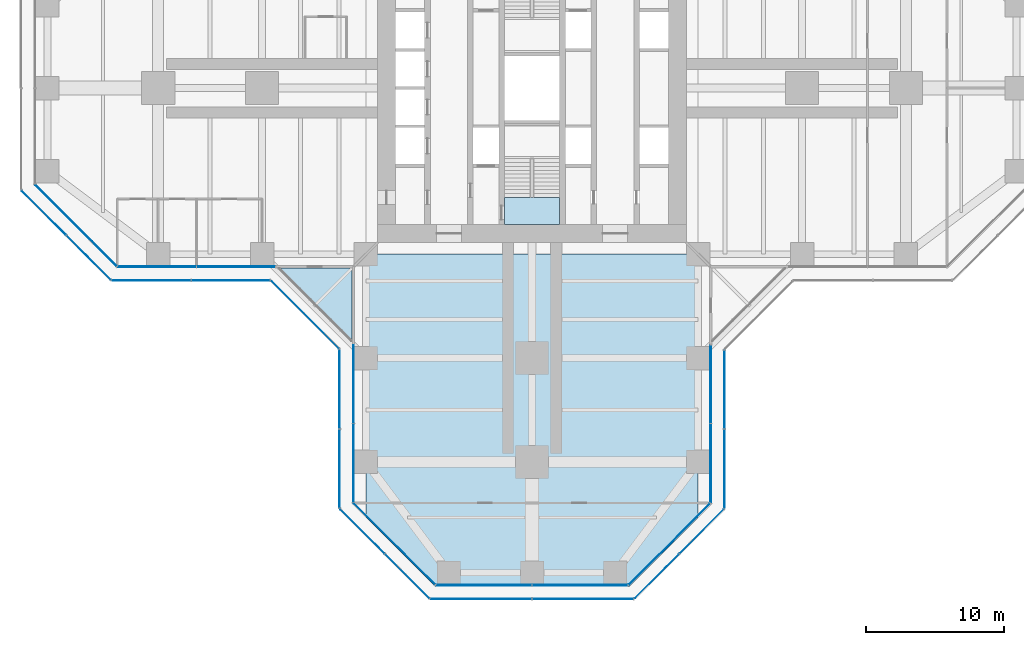
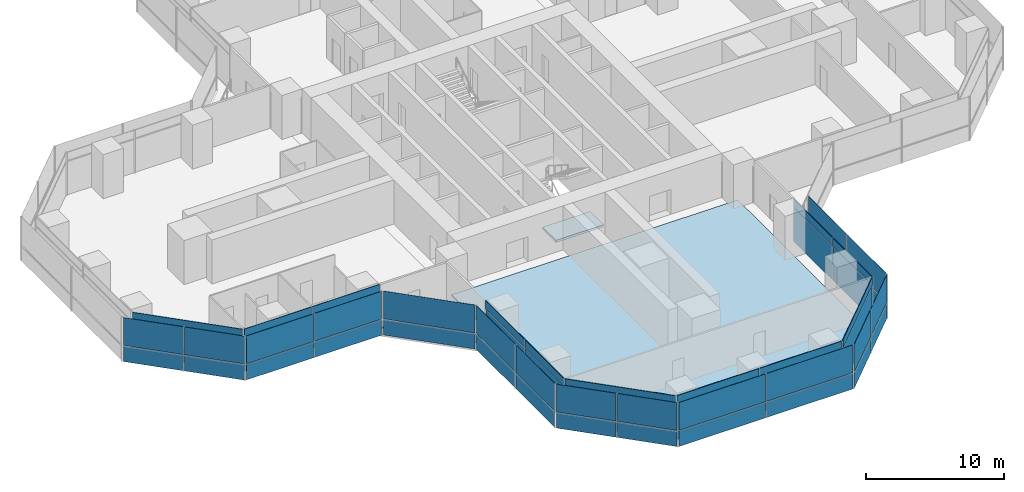
# One storey, part 14 of 22: 52 plates, 3 slabs, 16 elements without a shape of their own.
"""IFC4 building model written with IfcOpenShell, lengths in metres."""

from ifc_helpers import new_model, si_unit, direction, frame, origin, origin_2d, place, context, subcontext, project, spatial, polyline, rectangle, outline, extrude, material, layer, layer_set, type_object, element, aggregate, save


model = new_model("IFC4")

# Units and contexts
model_context = context("Model", 3, precision=1e-05, world=origin(), true_north=direction((0.0, 1.0)))
body_context = subcontext(model_context, "Body", "Model", "MODEL_VIEW")
ifc_project = project(units=[si_unit("LENGTHUNIT", "METRE"), si_unit("AREAUNIT", "SQUARE_METRE"), si_unit("VOLUMEUNIT", "CUBIC_METRE"), si_unit("PLANEANGLEUNIT", "RADIAN"), si_unit("MASSUNIT", "GRAM", prefix="KILO")], contexts=[model_context])

# Site, building, storey
site_placement = place(None, origin())
site = spatial("IfcSite", under=ifc_project, at=site_placement, CompositionType="ELEMENT")
building_placement = place(site_placement, origin())
building = spatial("IfcBuilding", under=site, at=building_placement, Name="Mizan Broadcast Tower", CompositionType="ELEMENT")
storey_placement = place(building_placement, frame((0.0, 0.0, 70.800048828125)))
storey = spatial("IfcBuildingStorey", under=building, at=storey_placement, Name="L14", CompositionType="ELEMENT", Elevation=70.800048828125)

# Slab
ifc_material_1 = material(Name="Concrete C32/40", Category="concrete")
ifc_layer_1 = layer(ifc_material_1, 0.1298828125)
ifc_layer_set_1 = layer_set([ifc_layer_1], Name="Concrete C32/40")
slab_type_1 = type_object("IfcSlabType", Name="COMPOSITE DECK SLAB 130", PredefinedType="FLOOR", material=ifc_layer_set_1)
slab_1_placement = place(storey_placement, frame((0.0, 0.0, -0.130126953125)))
element("IfcSlab", 1, at=slab_1_placement, inside=storey, type_object=slab_type_1, Name="Floor slab L14 south arm", PredefinedType="FLOOR", context=body_context, shape_type="SweptSolid", body=[
    extrude(outline(polyline([(7.0, -36.0), (12.0, -31.0), (12.0, -12.0), (-12.0, -12.0), (-12.0, -31.0), (-7.0, -36.0), (7.0, -36.0)])), origin(), (0.0, 0.0, 1.0), 0.130126953125),
])

# Curtain wall, plate
ifc_material_2 = material(Name="Aluminium framed glazing", Category="aluminium")
curtain_wall_type_1 = type_object("IfcCurtainWallType", Name="INNER SKIN LOW ZONE", PredefinedType="USERDEFINED", material=ifc_material_2)
curtain_wall_1_placement = place(storey_placement, origin())
curtain_wall_1 = element("IfcCurtainWall", 2, at=curtain_wall_1_placement, inside=storey, type_object=curtain_wall_type_1, Name="Inner skin low zone L14 W chamfer", ObjectType="INNER SKIN LOW ZONE", PredefinedType="USERDEFINED")
ifc_material_3 = material(Name="Double glazing, clear low-e", Category="glass")
ifc_layer_2 = layer(ifc_material_3, 0.028076171875)
ifc_layer_set_2 = layer_set([ifc_layer_2], Name="Double glazing, clear low-e")
plate_type_1 = type_object("IfcPlateType", Name="INNER SKIN GLAZING UNIT", PredefinedType="CURTAIN_PANEL", material=ifc_layer_set_2)
plate_1_placement = place(storey_placement, frame((-32.92919921875, -9.92919921875, 0.0), z_axis=(0.0, 0.0, 1.0), x_axis=(0.707106781187, -0.707106781187, 0.0)))
plate_1 = element("IfcPlate", 3, at=plate_1_placement, type_object=plate_type_1, Name="Inner skin low zone L14 W chamfer panel 1.1", PredefinedType="CURTAIN_PANEL", context=body_context, shape_type="SweptSolid", body=[
    extrude(rectangle(XDim=8.282470703125, YDim=0.028076171875, at=origin_2d()), origin(), (0.0, 0.0, 1.0), 3.0),
])

# Curtain wall, plates
curtain_wall_2_placement = place(storey_placement, origin())
curtain_wall_2 = element("IfcCurtainWall", 4, at=curtain_wall_2_placement, inside=storey, type_object=curtain_wall_type_1, Name="Inner skin low zone L14 W side", ObjectType="INNER SKIN LOW ZONE", PredefinedType="USERDEFINED")
plate_2_placement = place(storey_placement, frame((-27.078857421875, -12.89990234375, 0.0), z_axis=(0.0, 0.0, 1.0), x_axis=(1.0, 0.0, 0.0)))
plate_2 = element("IfcPlate", 5, at=plate_2_placement, type_object=plate_type_1, Name="Inner skin low zone L14 W side panel 1.1", PredefinedType="CURTAIN_PANEL", context=body_context, shape_type="SweptSolid", body=[
    extrude(rectangle(XDim=5.639404296875, YDim=0.028076171875, at=origin_2d()), origin(), (0.0, 0.0, 1.0), 3.0),
])
plate_3_placement = place(storey_placement, frame((-21.379638671875, -12.89990234375, 0.0), z_axis=(0.0, 0.0, 1.0), x_axis=(1.0, 0.0, 0.0)))
plate_3 = element("IfcPlate", 6, at=plate_3_placement, type_object=plate_type_1, Name="Inner skin low zone L14 W side panel 2.1", PredefinedType="CURTAIN_PANEL", context=body_context, shape_type="SweptSolid", body=[
    extrude(rectangle(XDim=5.639404296875, YDim=0.028076171875, at=origin_2d()), origin(), (0.0, 0.0, 1.0), 3.0),
])

curtain_wall_3_placement = place(storey_placement, origin())
curtain_wall_3 = element("IfcCurtainWall", 7, at=curtain_wall_3_placement, inside=storey, type_object=curtain_wall_type_1, Name="Inner skin low zone L14 S side", ObjectType="INNER SKIN LOW ZONE", PredefinedType="USERDEFINED")
plate_4_placement = place(storey_placement, frame((-12.89990234375, -21.379638671875, 0.0), z_axis=(0.0, 0.0, 1.0), x_axis=(0.0, -1.0, 0.0)))
plate_4 = element("IfcPlate", 8, at=plate_4_placement, type_object=plate_type_1, Name="Inner skin low zone L14 S side panel 1.1", PredefinedType="CURTAIN_PANEL", context=body_context, shape_type="SweptSolid", body=[
    extrude(rectangle(XDim=5.639404296875, YDim=0.028076171875, at=origin_2d()), origin(), (0.0, 0.0, 1.0), 3.0),
])
plate_5_placement = place(storey_placement, frame((-12.89990234375, -27.078857421875, 0.0), z_axis=(0.0, 0.0, 1.0), x_axis=(0.0, -1.0, 0.0)))
plate_5 = element("IfcPlate", 9, at=plate_5_placement, type_object=plate_type_1, Name="Inner skin low zone L14 S side panel 2.1", PredefinedType="CURTAIN_PANEL", context=body_context, shape_type="SweptSolid", body=[
    extrude(rectangle(XDim=5.639404296875, YDim=0.028076171875, at=origin_2d()), origin(), (0.0, 0.0, 1.0), 3.0),
])

# Curtain wall, plate
curtain_wall_4_placement = place(storey_placement, origin())
curtain_wall_4 = element("IfcCurtainWall", 10, at=curtain_wall_4_placement, inside=storey, type_object=curtain_wall_type_1, Name="Inner skin low zone L14 S chamfer", ObjectType="INNER SKIN LOW ZONE", PredefinedType="USERDEFINED")
plate_6_placement = place(storey_placement, frame((-9.92919921875, -32.92919921875, 0.0), z_axis=(0.0, 0.0, 1.0), x_axis=(0.707106781187, -0.707106781187, 0.0)))
plate_6 = element("IfcPlate", 11, at=plate_6_placement, type_object=plate_type_1, Name="Inner skin low zone L14 S chamfer panel 1.1", PredefinedType="CURTAIN_PANEL", context=body_context, shape_type="SweptSolid", body=[
    extrude(rectangle(XDim=8.282470703125, YDim=0.028076171875, at=origin_2d()), origin(), (0.0, 0.0, 1.0), 3.0),
])

# Curtain wall, plates
curtain_wall_5_placement = place(storey_placement, origin())
curtain_wall_5 = element("IfcCurtainWall", 12, at=curtain_wall_5_placement, inside=storey, type_object=curtain_wall_type_1, Name="Inner skin low zone L14 S end", ObjectType="INNER SKIN LOW ZONE", PredefinedType="USERDEFINED")
plate_7_placement = place(storey_placement, frame((-3.46435546875, -35.89990234375, 0.0), z_axis=(0.0, 0.0, 1.0), x_axis=(1.0, 0.0, 0.0)))
plate_7 = element("IfcPlate", 13, at=plate_7_placement, type_object=plate_type_1, Name="Inner skin low zone L14 S end panel 1.1", PredefinedType="CURTAIN_PANEL", context=body_context, shape_type="SweptSolid", body=[
    extrude(rectangle(XDim=6.86865234375, YDim=0.028076171875, at=origin_2d()), origin(), (0.0, 0.0, 1.0), 3.0),
])
plate_8_placement = place(storey_placement, frame((3.46435546875, -35.89990234375, 0.0), z_axis=(0.0, 0.0, 1.0), x_axis=(1.0, 0.0, 0.0)))
plate_8 = element("IfcPlate", 14, at=plate_8_placement, type_object=plate_type_1, Name="Inner skin low zone L14 S end panel 2.1", PredefinedType="CURTAIN_PANEL", context=body_context, shape_type="SweptSolid", body=[
    extrude(rectangle(XDim=6.86865234375, YDim=0.028076171875, at=origin_2d()), origin(), (0.0, 0.0, 1.0), 3.0),
])

# Curtain wall, plate
curtain_wall_6_placement = place(storey_placement, origin())
curtain_wall_6 = element("IfcCurtainWall", 15, at=curtain_wall_6_placement, inside=storey, type_object=curtain_wall_type_1, Name="Inner skin low zone L14 S chamfer", ObjectType="INNER SKIN LOW ZONE", PredefinedType="USERDEFINED")
plate_9_placement = place(storey_placement, frame((9.92919921875, -32.92919921875, 0.0), z_axis=(0.0, 0.0, 1.0), x_axis=(0.707106781187, 0.707106781187, 0.0)))
plate_9 = element("IfcPlate", 16, at=plate_9_placement, type_object=plate_type_1, Name="Inner skin low zone L14 S chamfer panel 1.1", PredefinedType="CURTAIN_PANEL", context=body_context, shape_type="SweptSolid", body=[
    extrude(rectangle(XDim=8.282470703125, YDim=0.028076171875, at=origin_2d()), origin(), (0.0, 0.0, 1.0), 3.0),
])

# Curtain wall, plates
curtain_wall_7_placement = place(storey_placement, origin())
curtain_wall_7 = element("IfcCurtainWall", 17, at=curtain_wall_7_placement, inside=storey, type_object=curtain_wall_type_1, Name="Inner skin low zone L14 S side", ObjectType="INNER SKIN LOW ZONE", PredefinedType="USERDEFINED")
plate_10_placement = place(storey_placement, frame((12.89990234375, -27.078857421875, 0.0), z_axis=(0.0, 0.0, 1.0), x_axis=(0.0, 1.0, 0.0)))
plate_10 = element("IfcPlate", 18, at=plate_10_placement, type_object=plate_type_1, Name="Inner skin low zone L14 S side panel 1.1", PredefinedType="CURTAIN_PANEL", context=body_context, shape_type="SweptSolid", body=[
    extrude(rectangle(XDim=5.639404296875, YDim=0.028076171875, at=origin_2d()), origin(), (0.0, 0.0, 1.0), 3.0),
])
plate_11_placement = place(storey_placement, frame((12.89990234375, -21.379638671875, 0.0), z_axis=(0.0, 0.0, 1.0), x_axis=(0.0, 1.0, 0.0)))
plate_11 = element("IfcPlate", 19, at=plate_11_placement, type_object=plate_type_1, Name="Inner skin low zone L14 S side panel 2.1", PredefinedType="CURTAIN_PANEL", context=body_context, shape_type="SweptSolid", body=[
    extrude(rectangle(XDim=5.639404296875, YDim=0.028076171875, at=origin_2d()), origin(), (0.0, 0.0, 1.0), 3.0),
])

# Plate
ifc_material_4 = material(Name="Insulated aluminium spandrel panel, pale anodised", Category="aluminium")
ifc_layer_3 = layer(ifc_material_4, 0.050048828125)
ifc_layer_set_3 = layer_set([ifc_layer_3], Name="Insulated aluminium spandrel panel, pale anodised")
plate_type_2 = type_object("IfcPlateType", Name="INNER SKIN SPANDREL PANEL", PredefinedType="CURTAIN_PANEL", material=ifc_layer_set_3)
plate_12_placement = place(storey_placement, frame((-32.92919921875, -9.92919921875, 3.06005859375), z_axis=(0.0, 0.0, 1.0), x_axis=(0.707106781187, -0.707106781187, 0.0)))
plate_12 = element("IfcPlate", 20, at=plate_12_placement, type_object=plate_type_2, Name="Inner skin low zone L14 W chamfer panel 1.2", PredefinedType="CURTAIN_PANEL", context=body_context, shape_type="SweptSolid", body=[
    extrude(rectangle(XDim=8.282470703125, YDim=0.050048828125, at=origin_2d()), origin(), (0.0, 0.0, 1.0), 0.7099609375),
])

aggregate(curtain_wall_1, [plate_1, plate_12])

plate_13_placement = place(storey_placement, frame((-27.078857421875, -12.89990234375, 3.06005859375), z_axis=(0.0, 0.0, 1.0), x_axis=(1.0, 0.0, 0.0)))
plate_13 = element("IfcPlate", 21, at=plate_13_placement, type_object=plate_type_2, Name="Inner skin low zone L14 W side panel 1.2", PredefinedType="CURTAIN_PANEL", context=body_context, shape_type="SweptSolid", body=[
    extrude(rectangle(XDim=5.639404296875, YDim=0.050048828125, at=origin_2d()), origin(), (0.0, 0.0, 1.0), 0.7099609375),
])

plate_14_placement = place(storey_placement, frame((-21.379638671875, -12.89990234375, 3.06005859375), z_axis=(0.0, 0.0, 1.0), x_axis=(1.0, 0.0, 0.0)))
plate_14 = element("IfcPlate", 22, at=plate_14_placement, type_object=plate_type_2, Name="Inner skin low zone L14 W side panel 2.2", PredefinedType="CURTAIN_PANEL", context=body_context, shape_type="SweptSolid", body=[
    extrude(rectangle(XDim=5.639404296875, YDim=0.050048828125, at=origin_2d()), origin(), (0.0, 0.0, 1.0), 0.7099609375),
])

aggregate(curtain_wall_2, [plate_2, plate_13, plate_3, plate_14])

plate_15_placement = place(storey_placement, frame((-12.89990234375, -21.379638671875, 3.06005859375), z_axis=(0.0, 0.0, 1.0), x_axis=(0.0, -1.0, 0.0)))
plate_15 = element("IfcPlate", 23, at=plate_15_placement, type_object=plate_type_2, Name="Inner skin low zone L14 S side panel 1.2", PredefinedType="CURTAIN_PANEL", context=body_context, shape_type="SweptSolid", body=[
    extrude(rectangle(XDim=5.639404296875, YDim=0.050048828125, at=origin_2d()), origin(), (0.0, 0.0, 1.0), 0.7099609375),
])

plate_16_placement = place(storey_placement, frame((-12.89990234375, -27.078857421875, 3.06005859375), z_axis=(0.0, 0.0, 1.0), x_axis=(0.0, -1.0, 0.0)))
plate_16 = element("IfcPlate", 24, at=plate_16_placement, type_object=plate_type_2, Name="Inner skin low zone L14 S side panel 2.2", PredefinedType="CURTAIN_PANEL", context=body_context, shape_type="SweptSolid", body=[
    extrude(rectangle(XDim=5.639404296875, YDim=0.050048828125, at=origin_2d()), origin(), (0.0, 0.0, 1.0), 0.7099609375),
])

aggregate(curtain_wall_3, [plate_4, plate_15, plate_5, plate_16])

plate_17_placement = place(storey_placement, frame((-9.92919921875, -32.92919921875, 3.06005859375), z_axis=(0.0, 0.0, 1.0), x_axis=(0.707106781187, -0.707106781187, 0.0)))
plate_17 = element("IfcPlate", 25, at=plate_17_placement, type_object=plate_type_2, Name="Inner skin low zone L14 S chamfer panel 1.2", PredefinedType="CURTAIN_PANEL", context=body_context, shape_type="SweptSolid", body=[
    extrude(rectangle(XDim=8.282470703125, YDim=0.050048828125, at=origin_2d()), origin(), (0.0, 0.0, 1.0), 0.7099609375),
])

aggregate(curtain_wall_4, [plate_6, plate_17])

plate_18_placement = place(storey_placement, frame((-3.46435546875, -35.89990234375, 3.06005859375), z_axis=(0.0, 0.0, 1.0), x_axis=(1.0, 0.0, 0.0)))
plate_18 = element("IfcPlate", 26, at=plate_18_placement, type_object=plate_type_2, Name="Inner skin low zone L14 S end panel 1.2", PredefinedType="CURTAIN_PANEL", context=body_context, shape_type="SweptSolid", body=[
    extrude(rectangle(XDim=6.86865234375, YDim=0.050048828125, at=origin_2d()), origin(), (0.0, 0.0, 1.0), 0.7099609375),
])

plate_19_placement = place(storey_placement, frame((3.46435546875, -35.89990234375, 3.06005859375), z_axis=(0.0, 0.0, 1.0), x_axis=(1.0, 0.0, 0.0)))
plate_19 = element("IfcPlate", 27, at=plate_19_placement, type_object=plate_type_2, Name="Inner skin low zone L14 S end panel 2.2", PredefinedType="CURTAIN_PANEL", context=body_context, shape_type="SweptSolid", body=[
    extrude(rectangle(XDim=6.86865234375, YDim=0.050048828125, at=origin_2d()), origin(), (0.0, 0.0, 1.0), 0.7099609375),
])

aggregate(curtain_wall_5, [plate_7, plate_18, plate_8, plate_19])

plate_20_placement = place(storey_placement, frame((9.92919921875, -32.92919921875, 3.06005859375), z_axis=(0.0, 0.0, 1.0), x_axis=(0.707106781187, 0.707106781187, 0.0)))
plate_20 = element("IfcPlate", 28, at=plate_20_placement, type_object=plate_type_2, Name="Inner skin low zone L14 S chamfer panel 1.2", PredefinedType="CURTAIN_PANEL", context=body_context, shape_type="SweptSolid", body=[
    extrude(rectangle(XDim=8.282470703125, YDim=0.050048828125, at=origin_2d()), origin(), (0.0, 0.0, 1.0), 0.7099609375),
])

aggregate(curtain_wall_6, [plate_9, plate_20])

plate_21_placement = place(storey_placement, frame((12.89990234375, -27.078857421875, 3.06005859375), z_axis=(0.0, 0.0, 1.0), x_axis=(0.0, 1.0, 0.0)))
plate_21 = element("IfcPlate", 29, at=plate_21_placement, type_object=plate_type_2, Name="Inner skin low zone L14 S side panel 1.2", PredefinedType="CURTAIN_PANEL", context=body_context, shape_type="SweptSolid", body=[
    extrude(rectangle(XDim=5.639404296875, YDim=0.050048828125, at=origin_2d()), origin(), (0.0, 0.0, 1.0), 0.7099609375),
])

plate_22_placement = place(storey_placement, frame((12.89990234375, -21.379638671875, 3.06005859375), z_axis=(0.0, 0.0, 1.0), x_axis=(0.0, 1.0, 0.0)))
plate_22 = element("IfcPlate", 30, at=plate_22_placement, type_object=plate_type_2, Name="Inner skin low zone L14 S side panel 2.2", PredefinedType="CURTAIN_PANEL", context=body_context, shape_type="SweptSolid", body=[
    extrude(rectangle(XDim=5.639404296875, YDim=0.050048828125, at=origin_2d()), origin(), (0.0, 0.0, 1.0), 0.7099609375),
])

aggregate(curtain_wall_7, [plate_10, plate_21, plate_11, plate_22])

# Curtain wall, plates
ifc_material_5 = material(Name="Aluminium framed glazing", Category="aluminium")
curtain_wall_type_2 = type_object("IfcCurtainWallType", Name="OUTER SKIN", PredefinedType="USERDEFINED", material=ifc_material_5)
curtain_wall_8_placement = place(storey_placement, origin())
curtain_wall_8 = element("IfcCurtainWall", 31, at=curtain_wall_8_placement, inside=storey, type_object=curtain_wall_type_2, Name="Outer skin L14 W chamfer", ObjectType="OUTER SKIN", PredefinedType="USERDEFINED")
ifc_material_6 = material(Name="Laminated clear glass", Category="glass")
ifc_layer_4 = layer(ifc_material_6, 0.02001953125)
ifc_layer_set_4 = layer_set([ifc_layer_4], Name="Laminated clear glass")
plate_type_3 = type_object("IfcPlateType", Name="OUTER SKIN CLEAR GLASS", PredefinedType="CURTAIN_PANEL", material=ifc_layer_set_4)
plate_23_placement = place(storey_placement, frame((-35.254150390625, -9.018798828125, 0.0), z_axis=(0.0, 0.0, 1.0), x_axis=(0.707106781187, -0.707106781187, 0.0)))
plate_23 = element("IfcPlate", 32, at=plate_23_placement, type_object=plate_type_3, Name="Outer skin L14 W chamfer panel 1.1", PredefinedType="CURTAIN_PANEL", context=body_context, shape_type="SweptSolid", body=[
    extrude(rectangle(XDim=4.495361328125, YDim=0.02001953125, at=origin_2d()), origin(), (0.0, 0.0, 1.0), 1.3701171875),
])
plate_24_placement = place(storey_placement, frame((-35.254150390625, -9.018798828125, 1.43017578125), z_axis=(0.0, 0.0, 1.0), x_axis=(0.707106781187, -0.707106781187, 0.0)))
plate_24 = element("IfcPlate", 33, at=plate_24_placement, type_object=plate_type_3, Name="Outer skin L14 W chamfer panel 1.2", PredefinedType="CURTAIN_PANEL", context=body_context, shape_type="SweptSolid", body=[
    extrude(rectangle(XDim=4.495361328125, YDim=0.02001953125, at=origin_2d()), origin(), (0.0, 0.0, 1.0), 2.469970703125),
])

curtain_wall_9_placement = place(storey_placement, origin())
curtain_wall_9 = element("IfcCurtainWall", 34, at=curtain_wall_9_placement, inside=storey, type_object=curtain_wall_type_2, Name="Outer skin L14 W side", ObjectType="OUTER SKIN", PredefinedType="USERDEFINED")
plate_25_placement = place(storey_placement, frame((-27.477783203125, -13.89990234375, 0.0), z_axis=(0.0, 0.0, 1.0), x_axis=(1.0, 0.0, 0.0)))
plate_25 = element("IfcPlate", 35, at=plate_25_placement, type_object=plate_type_3, Name="Outer skin L14 W side panel 1.1", PredefinedType="CURTAIN_PANEL", context=body_context, shape_type="SweptSolid", body=[
    extrude(rectangle(XDim=5.6298828125, YDim=0.02001953125, at=origin_2d()), origin(), (0.0, 0.0, 1.0), 1.3701171875),
])
plate_26_placement = place(storey_placement, frame((-27.477783203125, -13.89990234375, 1.43017578125), z_axis=(0.0, 0.0, 1.0), x_axis=(1.0, 0.0, 0.0)))
plate_26 = element("IfcPlate", 36, at=plate_26_placement, type_object=plate_type_3, Name="Outer skin L14 W side panel 1.2", PredefinedType="CURTAIN_PANEL", context=body_context, shape_type="SweptSolid", body=[
    extrude(rectangle(XDim=5.6298828125, YDim=0.02001953125, at=origin_2d()), origin(), (0.0, 0.0, 1.0), 2.469970703125),
])

curtain_wall_10_placement = place(storey_placement, origin())
curtain_wall_10 = element("IfcCurtainWall", 37, at=curtain_wall_10_placement, inside=storey, type_object=curtain_wall_type_2, Name="Outer skin L14 W chamfer", ObjectType="OUTER SKIN", PredefinedType="USERDEFINED")
plate_27_placement = place(storey_placement, frame((-16.386474609375, -16.386474609375, 0.0), z_axis=(0.0, 0.0, 1.0), x_axis=(0.707106781187, -0.707106781187, 0.0)))
plate_27 = element("IfcPlate", 38, at=plate_27_placement, type_object=plate_type_3, Name="Outer skin L14 W chamfer panel 1.1", PredefinedType="CURTAIN_PANEL", context=body_context, shape_type="SweptSolid", body=[
    extrude(rectangle(XDim=6.87255859375, YDim=0.02001953125, at=origin_2d()), origin(), (0.0, 0.0, 1.0), 1.3701171875),
])
plate_28_placement = place(storey_placement, frame((-16.386474609375, -16.386474609375, 1.43017578125), z_axis=(0.0, 0.0, 1.0), x_axis=(0.707106781187, -0.707106781187, 0.0)))
plate_28 = element("IfcPlate", 39, at=plate_28_placement, type_object=plate_type_3, Name="Outer skin L14 W chamfer panel 1.2", PredefinedType="CURTAIN_PANEL", context=body_context, shape_type="SweptSolid", body=[
    extrude(rectangle(XDim=6.87255859375, YDim=0.02001953125, at=origin_2d()), origin(), (0.0, 0.0, 1.0), 2.469970703125),
])
aggregate(curtain_wall_10, [plate_27, plate_28])

curtain_wall_11_placement = place(storey_placement, origin())
curtain_wall_11 = element("IfcCurtainWall", 40, at=curtain_wall_11_placement, inside=storey, type_object=curtain_wall_type_2, Name="Outer skin L14 S side", ObjectType="OUTER SKIN", PredefinedType="USERDEFINED")
plate_29_placement = place(storey_placement, frame((-13.89990234375, -21.767822265625, 0.0), z_axis=(0.0, 0.0, 1.0), x_axis=(0.0, -1.0, 0.0)))
plate_29 = element("IfcPlate", 41, at=plate_29_placement, type_object=plate_type_3, Name="Outer skin L14 S side panel 1.1", PredefinedType="CURTAIN_PANEL", context=body_context, shape_type="SweptSolid", body=[
    extrude(rectangle(XDim=5.6298828125, YDim=0.02001953125, at=origin_2d()), origin(), (0.0, 0.0, 1.0), 1.3701171875),
])
plate_30_placement = place(storey_placement, frame((-13.89990234375, -21.767822265625, 1.43017578125), z_axis=(0.0, 0.0, 1.0), x_axis=(0.0, -1.0, 0.0)))
plate_30 = element("IfcPlate", 42, at=plate_30_placement, type_object=plate_type_3, Name="Outer skin L14 S side panel 1.2", PredefinedType="CURTAIN_PANEL", context=body_context, shape_type="SweptSolid", body=[
    extrude(rectangle(XDim=5.6298828125, YDim=0.02001953125, at=origin_2d()), origin(), (0.0, 0.0, 1.0), 2.469970703125),
])

curtain_wall_12_placement = place(storey_placement, origin())
curtain_wall_12 = element("IfcCurtainWall", 43, at=curtain_wall_12_placement, inside=storey, type_object=curtain_wall_type_2, Name="Outer skin L14 S chamfer", ObjectType="OUTER SKIN", PredefinedType="USERDEFINED")
plate_31_placement = place(storey_placement, frame((-12.254150390625, -32.018798828125, 0.0), z_axis=(0.0, 0.0, 1.0), x_axis=(0.707106781187, -0.707106781187, 0.0)))
plate_31 = element("IfcPlate", 44, at=plate_31_placement, type_object=plate_type_3, Name="Outer skin L14 S chamfer panel 1.1", PredefinedType="CURTAIN_PANEL", context=body_context, shape_type="SweptSolid", body=[
    extrude(rectangle(XDim=4.495361328125, YDim=0.02001953125, at=origin_2d()), origin(), (0.0, 0.0, 1.0), 1.3701171875),
])
plate_32_placement = place(storey_placement, frame((-12.254150390625, -32.018798828125, 1.43017578125), z_axis=(0.0, 0.0, 1.0), x_axis=(0.707106781187, -0.707106781187, 0.0)))
plate_32 = element("IfcPlate", 45, at=plate_32_placement, type_object=plate_type_3, Name="Outer skin L14 S chamfer panel 1.2", PredefinedType="CURTAIN_PANEL", context=body_context, shape_type="SweptSolid", body=[
    extrude(rectangle(XDim=4.495361328125, YDim=0.02001953125, at=origin_2d()), origin(), (0.0, 0.0, 1.0), 2.469970703125),
])

curtain_wall_13_placement = place(storey_placement, origin())
curtain_wall_13 = element("IfcCurtainWall", 46, at=curtain_wall_13_placement, inside=storey, type_object=curtain_wall_type_2, Name="Outer skin L14 S end", ObjectType="OUTER SKIN", PredefinedType="USERDEFINED")
plate_33_placement = place(storey_placement, frame((-3.66650390625, -36.89990234375, 0.0), z_axis=(0.0, 0.0, 1.0), x_axis=(1.0, 0.0, 0.0)))
plate_33 = element("IfcPlate", 47, at=plate_33_placement, type_object=plate_type_3, Name="Outer skin L14 S end panel 1.1", PredefinedType="CURTAIN_PANEL", context=body_context, shape_type="SweptSolid", body=[
    extrude(rectangle(XDim=7.252685546875, YDim=0.02001953125, at=origin_2d()), origin(), (0.0, 0.0, 1.0), 1.3701171875),
])
plate_34_placement = place(storey_placement, frame((-3.66650390625, -36.89990234375, 1.43017578125), z_axis=(0.0, 0.0, 1.0), x_axis=(1.0, 0.0, 0.0)))
plate_34 = element("IfcPlate", 48, at=plate_34_placement, type_object=plate_type_3, Name="Outer skin L14 S end panel 1.2", PredefinedType="CURTAIN_PANEL", context=body_context, shape_type="SweptSolid", body=[
    extrude(rectangle(XDim=7.252685546875, YDim=0.02001953125, at=origin_2d()), origin(), (0.0, 0.0, 1.0), 2.469970703125),
])

curtain_wall_14_placement = place(storey_placement, origin())
curtain_wall_14 = element("IfcCurtainWall", 49, at=curtain_wall_14_placement, inside=storey, type_object=curtain_wall_type_2, Name="Outer skin L14 S chamfer", ObjectType="OUTER SKIN", PredefinedType="USERDEFINED")
plate_35_placement = place(storey_placement, frame((9.018798828125, -35.254150390625, 0.0), z_axis=(0.0, 0.0, 1.0), x_axis=(0.707106781187, 0.707106781187, 0.0)))
plate_35 = element("IfcPlate", 50, at=plate_35_placement, type_object=plate_type_3, Name="Outer skin L14 S chamfer panel 1.1", PredefinedType="CURTAIN_PANEL", context=body_context, shape_type="SweptSolid", body=[
    extrude(rectangle(XDim=4.495361328125, YDim=0.02001953125, at=origin_2d()), origin(), (0.0, 0.0, 1.0), 1.3701171875),
])
plate_36_placement = place(storey_placement, frame((9.018798828125, -35.254150390625, 1.43017578125), z_axis=(0.0, 0.0, 1.0), x_axis=(0.707106781187, 0.707106781187, 0.0)))
plate_36 = element("IfcPlate", 51, at=plate_36_placement, type_object=plate_type_3, Name="Outer skin L14 S chamfer panel 1.2", PredefinedType="CURTAIN_PANEL", context=body_context, shape_type="SweptSolid", body=[
    extrude(rectangle(XDim=4.495361328125, YDim=0.02001953125, at=origin_2d()), origin(), (0.0, 0.0, 1.0), 2.469970703125),
])

curtain_wall_15_placement = place(storey_placement, origin())
curtain_wall_15 = element("IfcCurtainWall", 52, at=curtain_wall_15_placement, inside=storey, type_object=curtain_wall_type_2, Name="Outer skin L14 S side", ObjectType="OUTER SKIN", PredefinedType="USERDEFINED")
plate_37_placement = place(storey_placement, frame((13.89990234375, -27.477783203125, 0.0), z_axis=(0.0, 0.0, 1.0), x_axis=(0.0, 1.0, 0.0)))
plate_37 = element("IfcPlate", 53, at=plate_37_placement, type_object=plate_type_3, Name="Outer skin L14 S side panel 1.1", PredefinedType="CURTAIN_PANEL", context=body_context, shape_type="SweptSolid", body=[
    extrude(rectangle(XDim=5.6298828125, YDim=0.02001953125, at=origin_2d()), origin(), (0.0, 0.0, 1.0), 1.3701171875),
])
plate_38_placement = place(storey_placement, frame((13.89990234375, -27.477783203125, 1.43017578125), z_axis=(0.0, 0.0, 1.0), x_axis=(0.0, 1.0, 0.0)))
plate_38 = element("IfcPlate", 54, at=plate_38_placement, type_object=plate_type_3, Name="Outer skin L14 S side panel 1.2", PredefinedType="CURTAIN_PANEL", context=body_context, shape_type="SweptSolid", body=[
    extrude(rectangle(XDim=5.6298828125, YDim=0.02001953125, at=origin_2d()), origin(), (0.0, 0.0, 1.0), 2.469970703125),
])

# Plate
ifc_material_7 = material(Name="Perforated aluminium, pale anodised", Category="aluminium")
ifc_layer_5 = layer(ifc_material_7, 0.011962890625)
ifc_layer_set_5 = layer_set([ifc_layer_5], Name="Perforated aluminium, pale anodised")
plate_type_4 = type_object("IfcPlateType", Name="OUTER SKIN PERFORATED SCREEN", PredefinedType="USERDEFINED", material=ifc_layer_set_5)
plate_39_placement = place(storey_placement, frame((-32.018798828125, -12.254150390625, 0.0), z_axis=(0.0, 0.0, 1.0), x_axis=(0.707106781187, -0.707106781187, 0.0)))
plate_39 = element("IfcPlate", 55, at=plate_39_placement, type_object=plate_type_4, Name="Outer skin L14 W chamfer panel 2.1", ObjectType="SCREEN", PredefinedType="USERDEFINED", context=body_context, shape_type="SweptSolid", body=[
    extrude(rectangle(XDim=4.495361328125, YDim=0.011962890625, at=origin_2d()), origin(), (0.0, 0.0, 1.0), 1.3701171875),
])

plate_40_placement = place(storey_placement, frame((-32.018798828125, -12.254150390625, 1.43017578125), z_axis=(0.0, 0.0, 1.0), x_axis=(0.707106781187, -0.707106781187, 0.0)))
plate_40 = element("IfcPlate", 56, at=plate_40_placement, type_object=plate_type_4, Name="Outer skin L14 W chamfer panel 2.2", ObjectType="SCREEN", PredefinedType="USERDEFINED", context=body_context, shape_type="SweptSolid", body=[
    extrude(rectangle(XDim=4.495361328125, YDim=0.011962890625, at=origin_2d()), origin(), (0.0, 0.0, 1.0), 2.469970703125),
])

aggregate(curtain_wall_8, [plate_23, plate_24, plate_39, plate_40])

plate_41_placement = place(storey_placement, frame((-21.767822265625, -13.89990234375, 0.0), z_axis=(0.0, 0.0, 1.0), x_axis=(1.0, 0.0, 0.0)))
plate_41 = element("IfcPlate", 57, at=plate_41_placement, type_object=plate_type_4, Name="Outer skin L14 W side panel 2.1", ObjectType="SCREEN", PredefinedType="USERDEFINED", context=body_context, shape_type="SweptSolid", body=[
    extrude(rectangle(XDim=5.6298828125, YDim=0.011962890625, at=origin_2d()), origin(), (0.0, 0.0, 1.0), 1.3701171875),
])

plate_42_placement = place(storey_placement, frame((-21.767822265625, -13.89990234375, 1.43017578125), z_axis=(0.0, 0.0, 1.0), x_axis=(1.0, 0.0, 0.0)))
plate_42 = element("IfcPlate", 58, at=plate_42_placement, type_object=plate_type_4, Name="Outer skin L14 W side panel 2.2", ObjectType="SCREEN", PredefinedType="USERDEFINED", context=body_context, shape_type="SweptSolid", body=[
    extrude(rectangle(XDim=5.6298828125, YDim=0.011962890625, at=origin_2d()), origin(), (0.0, 0.0, 1.0), 2.469970703125),
])

aggregate(curtain_wall_9, [plate_25, plate_26, plate_41, plate_42])

plate_43_placement = place(storey_placement, frame((-13.89990234375, -27.477783203125, 0.0), z_axis=(0.0, 0.0, 1.0), x_axis=(0.0, -1.0, 0.0)))
plate_43 = element("IfcPlate", 59, at=plate_43_placement, type_object=plate_type_4, Name="Outer skin L14 S side panel 2.1", ObjectType="SCREEN", PredefinedType="USERDEFINED", context=body_context, shape_type="SweptSolid", body=[
    extrude(rectangle(XDim=5.6298828125, YDim=0.011962890625, at=origin_2d()), origin(), (0.0, 0.0, 1.0), 1.3701171875),
])

plate_44_placement = place(storey_placement, frame((-13.89990234375, -27.477783203125, 1.43017578125), z_axis=(0.0, 0.0, 1.0), x_axis=(0.0, -1.0, 0.0)))
plate_44 = element("IfcPlate", 60, at=plate_44_placement, type_object=plate_type_4, Name="Outer skin L14 S side panel 2.2", ObjectType="SCREEN", PredefinedType="USERDEFINED", context=body_context, shape_type="SweptSolid", body=[
    extrude(rectangle(XDim=5.6298828125, YDim=0.011962890625, at=origin_2d()), origin(), (0.0, 0.0, 1.0), 2.469970703125),
])

aggregate(curtain_wall_11, [plate_29, plate_30, plate_43, plate_44])

plate_45_placement = place(storey_placement, frame((-9.018798828125, -35.254150390625, 0.0), z_axis=(0.0, 0.0, 1.0), x_axis=(0.707106781187, -0.707106781187, 0.0)))
plate_45 = element("IfcPlate", 61, at=plate_45_placement, type_object=plate_type_4, Name="Outer skin L14 S chamfer panel 2.1", ObjectType="SCREEN", PredefinedType="USERDEFINED", context=body_context, shape_type="SweptSolid", body=[
    extrude(rectangle(XDim=4.495361328125, YDim=0.011962890625, at=origin_2d()), origin(), (0.0, 0.0, 1.0), 1.3701171875),
])

plate_46_placement = place(storey_placement, frame((-9.018798828125, -35.254150390625, 1.43017578125), z_axis=(0.0, 0.0, 1.0), x_axis=(0.707106781187, -0.707106781187, 0.0)))
plate_46 = element("IfcPlate", 62, at=plate_46_placement, type_object=plate_type_4, Name="Outer skin L14 S chamfer panel 2.2", ObjectType="SCREEN", PredefinedType="USERDEFINED", context=body_context, shape_type="SweptSolid", body=[
    extrude(rectangle(XDim=4.495361328125, YDim=0.011962890625, at=origin_2d()), origin(), (0.0, 0.0, 1.0), 2.469970703125),
])

aggregate(curtain_wall_12, [plate_31, plate_32, plate_45, plate_46])

plate_47_placement = place(storey_placement, frame((3.66650390625, -36.89990234375, 0.0), z_axis=(0.0, 0.0, 1.0), x_axis=(1.0, 0.0, 0.0)))
plate_47 = element("IfcPlate", 63, at=plate_47_placement, type_object=plate_type_4, Name="Outer skin L14 S end panel 2.1", ObjectType="SCREEN", PredefinedType="USERDEFINED", context=body_context, shape_type="SweptSolid", body=[
    extrude(rectangle(XDim=7.252685546875, YDim=0.011962890625, at=origin_2d()), origin(), (0.0, 0.0, 1.0), 1.3701171875),
])

plate_48_placement = place(storey_placement, frame((3.66650390625, -36.89990234375, 1.43017578125), z_axis=(0.0, 0.0, 1.0), x_axis=(1.0, 0.0, 0.0)))
plate_48 = element("IfcPlate", 64, at=plate_48_placement, type_object=plate_type_4, Name="Outer skin L14 S end panel 2.2", ObjectType="SCREEN", PredefinedType="USERDEFINED", context=body_context, shape_type="SweptSolid", body=[
    extrude(rectangle(XDim=7.252685546875, YDim=0.011962890625, at=origin_2d()), origin(), (0.0, 0.0, 1.0), 2.469970703125),
])

aggregate(curtain_wall_13, [plate_33, plate_34, plate_47, plate_48])

plate_49_placement = place(storey_placement, frame((12.254150390625, -32.018798828125, 0.0), z_axis=(0.0, 0.0, 1.0), x_axis=(0.707106781187, 0.707106781187, 0.0)))
plate_49 = element("IfcPlate", 65, at=plate_49_placement, type_object=plate_type_4, Name="Outer skin L14 S chamfer panel 2.1", ObjectType="SCREEN", PredefinedType="USERDEFINED", context=body_context, shape_type="SweptSolid", body=[
    extrude(rectangle(XDim=4.495361328125, YDim=0.011962890625, at=origin_2d()), origin(), (0.0, 0.0, 1.0), 1.3701171875),
])

plate_50_placement = place(storey_placement, frame((12.254150390625, -32.018798828125, 1.43017578125), z_axis=(0.0, 0.0, 1.0), x_axis=(0.707106781187, 0.707106781187, 0.0)))
plate_50 = element("IfcPlate", 66, at=plate_50_placement, type_object=plate_type_4, Name="Outer skin L14 S chamfer panel 2.2", ObjectType="SCREEN", PredefinedType="USERDEFINED", context=body_context, shape_type="SweptSolid", body=[
    extrude(rectangle(XDim=4.495361328125, YDim=0.011962890625, at=origin_2d()), origin(), (0.0, 0.0, 1.0), 2.469970703125),
])

aggregate(curtain_wall_14, [plate_35, plate_36, plate_49, plate_50])

plate_51_placement = place(storey_placement, frame((13.89990234375, -21.767822265625, 0.0), z_axis=(0.0, 0.0, 1.0), x_axis=(0.0, 1.0, 0.0)))
plate_51 = element("IfcPlate", 67, at=plate_51_placement, type_object=plate_type_4, Name="Outer skin L14 S side panel 2.1", ObjectType="SCREEN", PredefinedType="USERDEFINED", context=body_context, shape_type="SweptSolid", body=[
    extrude(rectangle(XDim=5.6298828125, YDim=0.011962890625, at=origin_2d()), origin(), (0.0, 0.0, 1.0), 1.3701171875),
])

plate_52_placement = place(storey_placement, frame((13.89990234375, -21.767822265625, 1.43017578125), z_axis=(0.0, 0.0, 1.0), x_axis=(0.0, 1.0, 0.0)))
plate_52 = element("IfcPlate", 68, at=plate_52_placement, type_object=plate_type_4, Name="Outer skin L14 S side panel 2.2", ObjectType="SCREEN", PredefinedType="USERDEFINED", context=body_context, shape_type="SweptSolid", body=[
    extrude(rectangle(XDim=5.6298828125, YDim=0.011962890625, at=origin_2d()), origin(), (0.0, 0.0, 1.0), 2.469970703125),
])

aggregate(curtain_wall_15, [plate_37, plate_38, plate_51, plate_52])

# Stair, slab
ifc_material_8 = material(Name="Concrete C40/50", Category="concrete")
stair_type = type_object("IfcStairType", Name="EXIT STAIR", PredefinedType="HALF_TURN_STAIR", material=ifc_material_8)
stair_placement = place(storey_placement, origin())
stair = element("IfcStair", 69, at=stair_placement, inside=storey, type_object=stair_type, Name="Stair A L14", PredefinedType="HALF_TURN_STAIR")
ifc_material_9 = material(Name="Concrete C40/50", Category="concrete")
ifc_layer_6 = layer(ifc_material_9, 0.199951171875)
ifc_layer_set_6 = layer_set([ifc_layer_6], Name="Concrete C40/50")
slab_type_2 = type_object("IfcSlabType", Name="STAIR LANDING 200", PredefinedType="LANDING", material=ifc_layer_set_6)
slab_2_placement = place(storey_placement, frame((0.0, 0.0, -0.199951171875)))
slab_2 = element("IfcSlab", 70, at=slab_2_placement, type_object=slab_type_2, Name="A landing 1", PredefinedType="LANDING", context=body_context, shape_type="SweptSolid", body=[
    extrude(outline(polyline([(-2.0, -9.85009765625), (-2.0, -7.89990234375), (2.0, -7.89990234375), (2.0, -9.85009765625), (-2.0, -9.85009765625)])), origin(), (0.0, 0.0, 1.0), 0.199951171875),
])
aggregate(stair, [slab_2])

# Slab
ifc_material_10 = material(Name="Concrete C32/40", Category="concrete")
ifc_layer_7 = layer(ifc_material_10, 0.1298828125)
ifc_layer_set_7 = layer_set([ifc_layer_7], Name="Concrete C32/40")
slab_type_3 = type_object("IfcSlabType", Name="WINTER GARDEN SLAB 130", PredefinedType="FLOOR", material=ifc_layer_set_7)
slab_3_placement = place(storey_placement, frame((0.0, 0.0, -0.130126953125)))
element("IfcSlab", 71, at=slab_3_placement, inside=storey, type_object=slab_type_3, Name="Winter garden slab L14 W", PredefinedType="FLOOR", context=body_context, shape_type="SweptSolid", body=[
    extrude(outline(polyline([(-13.0, -13.0), (-18.5, -13.0), (-13.0, -18.5), (-13.0, -13.0)])), origin(), (0.0, 0.0, 1.0), 0.130126953125),
])

save(model, "model.ifc")
